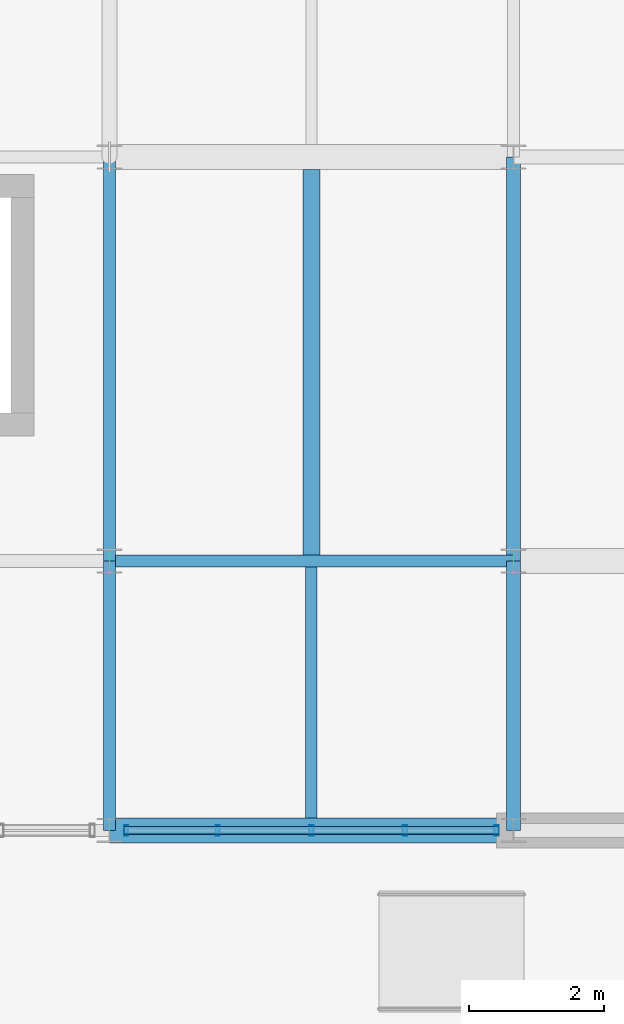
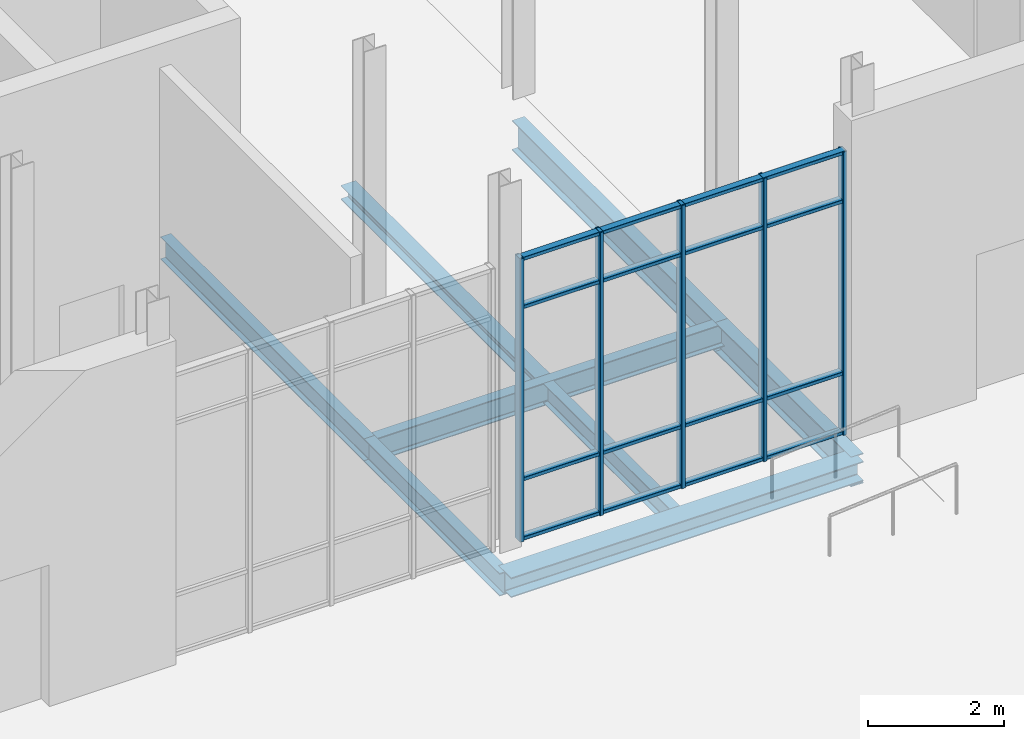
# One storey, part 74 of 140: 9 members, 8 beams, 1 element without a shape of its own.
"""IFC4 building model written with IfcOpenShell, lengths in metres."""

import ifcopenshell
import ifcopenshell.guid

model = None  # the IFC model being written
_history = None  # IfcOwnerHistory: only IFC2X3 demands one
_inside = {}  # id of a spatial element -> (the spatial element, [elements in it])
_under = {}  # id of a project, library or spatial element -> (it, [spatial elements below it])
_declared = {}  # id of a project -> (the project, [libraries it declares])
_typed = {}  # id of a type object -> (the type object, [elements of that type])
_made_of = {}  # id of a material, layer set ... -> (it, [elements and type objects made of it])


def new_model(schema):
    """Start an empty IFC model of exactly this schema.

    Asked for "IFC4X3", IfcOpenShell would pick the latest addendum, in which some entities
    have other attributes; the version numbers below select the first issue.
    IFC2X3 requires an IfcOwnerHistory on every rooted entity: one is made here for all.
    """
    global model, _history
    if schema == "IFC4X3":
        model = ifcopenshell.file(schema_version=(4, 3, 0, 0))
    else:
        model = ifcopenshell.file(schema=schema)
    _inside.clear()
    _under.clear()
    _declared.clear()
    _typed.clear()
    _made_of.clear()
    _history = None
    if model.schema == "IFC2X3":
        org = make("IfcOrganization", Name="unknown")
        user = make(
            "IfcPersonAndOrganization",
            ThePerson=make("IfcPerson", FamilyName="unknown"),
            TheOrganization=org,
        )
        app = make(
            "IfcApplication",
            ApplicationDeveloper=org,
            Version="unknown",
            ApplicationFullName="unknown",
            ApplicationIdentifier="unknown",
        )
        _history = make(
            "IfcOwnerHistory",
            OwningUser=user,
            OwningApplication=app,
            ChangeAction="ADDED",
            CreationDate=0,
        )
    return model


def make(cls, **values):
    """One entity of the class cls with the attributes given. An attribute that is None is left unset."""
    return model.create_entity(
        cls, **{name: value for name, value in values.items() if value is not None}
    )


def rooted(cls, **values):
    """An entity with a GlobalId (a new one), such as an element, a storey or a relation."""
    return make(cls, GlobalId=ifcopenshell.guid.new(), OwnerHistory=_history, **values)


def si_unit(unit_type, name, prefix=None):
    """IfcSIUnit, for example si_unit("LENGTHUNIT", "METRE", prefix="MILLI")."""
    return make("IfcSIUnit", UnitType=unit_type, Prefix=prefix, Name=name)


def assignment(units):
    """IfcUnitAssignment: the units of a project."""
    return None if units is None else make("IfcUnitAssignment", Units=units)


def point(xyz):
    """IfcCartesianPoint."""
    return None if xyz is None else make("IfcCartesianPoint", Coordinates=xyz)


def direction(xyz):
    """IfcDirection."""
    return None if xyz is None else make("IfcDirection", DirectionRatios=xyz)


def frame(location, z_axis=None, x_axis=None):
    """IfcAxis2Placement3D, a coordinate frame: its origin and axes. An axis left out is left unset."""
    return make(
        "IfcAxis2Placement3D",
        Location=point(location),
        Axis=direction(z_axis),
        RefDirection=direction(x_axis),
    )


def frame_2d(location, x_axis=None):
    """IfcAxis2Placement2D, a coordinate frame in the plane: its origin and x axis."""
    return make(
        "IfcAxis2Placement2D", Location=point(location), RefDirection=direction(x_axis)
    )


def origin():
    """The frame at (0, 0, 0) with its axes left unset."""
    return frame((0.0, 0.0, 0.0))


def origin_2d():
    """The frame at (0, 0) in the plane with its x axis left unset."""
    return frame_2d((0.0, 0.0))


def place(relative_to, where):
    """IfcLocalPlacement: puts the frame where relative to a parent placement (None: the world)."""
    return make(
        "IfcLocalPlacement", PlacementRelTo=relative_to, RelativePlacement=where
    )


def context(
    kind, dimensions, precision=None, world=None, true_north=None, identifier=None
):
    """IfcGeometricRepresentationContext, for example the 3D "Model" context."""
    return make(
        "IfcGeometricRepresentationContext",
        ContextIdentifier=identifier,
        ContextType=kind,
        CoordinateSpaceDimension=dimensions,
        Precision=precision,
        WorldCoordinateSystem=world,
        TrueNorth=true_north,
    )


def subcontext(parent, identifier, kind, view, scale=None):
    """IfcGeometricRepresentationSubContext, for example "Body" below "Model"."""
    return make(
        "IfcGeometricRepresentationSubContext",
        ContextIdentifier=identifier,
        ContextType=kind,
        ParentContext=parent,
        TargetScale=scale,
        TargetView=view,
    )


def project(units=None, contexts=None):
    """IfcProject with its units and contexts."""
    return rooted(
        "IfcProject",
        Name="project",
        RepresentationContexts=contexts,
        UnitsInContext=assignment(units),
    )


def spatial(cls, under=None, at=None, **own):
    """A site, building, storey or space (cls), placed at a placement, below another one or the project."""
    s = rooted(cls, ObjectPlacement=at, **own)
    if under is not None:
        _under.setdefault(under.id(), (under, []))[1].append(s)
    return s


def profile(cls, at=None, kind="AREA", **sizes):
    """A parametric profile (cls). Its sizes go by their IFC names, for example OverallWidth=200.0."""
    return make(cls, ProfileType=kind, Position=at, **sizes)


def hollow_rectangle(**sizes):
    """IfcRectangleHollowProfileDef."""
    return profile("IfcRectangleHollowProfileDef", **sizes)


def i_section(**sizes):
    """IfcIShapeProfileDef."""
    return profile("IfcIShapeProfileDef", **sizes)


def extrude(swept, where, along, depth):
    """IfcExtrudedAreaSolid: the profile swept, set in the frame where, extruded along a direction by depth."""
    return make(
        "IfcExtrudedAreaSolid",
        SweptArea=swept,
        Position=where,
        ExtrudedDirection=direction(along),
        Depth=depth,
    )


def shape(context_of_items, identifier, shape_type, items):
    """IfcShapeRepresentation: the items that make up one representation, for example the "Body"."""
    return make(
        "IfcShapeRepresentation",
        ContextOfItems=context_of_items,
        RepresentationIdentifier=identifier,
        RepresentationType=shape_type,
        Items=items,
    )


def material(Name=None, Category=None):
    """IfcMaterial."""
    return make("IfcMaterial", Name=Name, Category=Category)


def material_profile(
    of_material, cross_section, Name=None, Category=None, Priority=None
):
    """IfcMaterialProfile: a cross section and its material."""
    return make(
        "IfcMaterialProfile",
        Name=Name,
        Material=of_material,
        Profile=cross_section,
        Priority=Priority,
        Category=Category,
    )


def profile_set(profiles, Name=None, composite=None):
    """IfcMaterialProfileSet."""
    return make(
        "IfcMaterialProfileSet",
        Name=Name,
        MaterialProfiles=profiles,
        CompositeProfile=composite,
    )


def made_of(thing, what):
    """Note that an element or type object is made of a material, layer set ...; save() writes the relation."""
    if what is not None:
        _made_of.setdefault(what.id(), (what, []))[1].append(thing)
    return thing


def type_object(cls, material=None, **own):
    """A type object (cls), such as IfcWallType, which elements share."""
    return made_of(rooted(cls, **own), material)


def element(
    cls,
    number,
    at=None,
    inside=None,
    cuts=None,
    type_object=None,
    material=None,
    context=None,
    identifier="Body",
    shape_type=None,
    held_by="IfcProductDefinitionShape",
    body=None,
    shapes=None,
    **own,
):
    """One element of the class cls, such as IfcWall. Its Tag is "e" and its number.

    at: its placement. inside: the storey or other place that contains it. cuts: it is an
    opening in that element (IfcRelVoidsElement). A single representation is given by context,
    identifier, shape_type and body (its items); several are given by shapes. held_by: the class
    of the entity that holds the representations. save() writes the other relations.
    """
    e = rooted(cls, Tag="e%d" % number, ObjectPlacement=at, **own)
    if body is not None:
        shapes = [shape(context, identifier, shape_type, body)]
    if shapes is not None:
        e.Representation = make(held_by, Representations=shapes)
    if inside is not None:
        _inside.setdefault(inside.id(), (inside, []))[1].append(e)
    if cuts is not None:
        rooted(
            "IfcRelVoidsElement", RelatingBuildingElement=cuts, RelatedOpeningElement=e
        )
    if type_object is not None:
        _typed.setdefault(type_object.id(), (type_object, []))[1].append(e)
    return made_of(e, material)


def aggregate(whole, parts):
    """IfcRelAggregates: a whole, such as a stair, and the parts it consists of."""
    return rooted("IfcRelAggregates", RelatingObject=whole, RelatedObjects=parts)


def save(model, path):
    """Write the relations noted so far, then the file.

    IfcRelAggregates (storeys below a building ...), IfcRelContainedInSpatialStructure (elements
    in a storey), IfcRelDefinesByType, IfcRelAssociatesMaterial and IfcRelDeclares: one each for
    every whole, place, type object, material and project.
    """
    for whole, parts in _under.values():
        aggregate(whole, parts)
    for where, things in _inside.values():
        rooted(
            "IfcRelContainedInSpatialStructure",
            RelatedElements=things,
            RelatingStructure=where,
        )
    for kind, things in _typed.values():
        rooted("IfcRelDefinesByType", RelatedObjects=things, RelatingType=kind)
    for what, things in _made_of.values():
        rooted("IfcRelAssociatesMaterial", RelatedObjects=things, RelatingMaterial=what)
    for by, libraries in _declared.values():
        rooted("IfcRelDeclares", RelatingContext=by, RelatedDefinitions=libraries)
    model.write(path)


model = new_model("IFC4")

# Units and contexts
model_context = context("Model", 3, precision=1e-05, world=origin(), true_north=direction((0.0, 1.0)))
body_context = subcontext(model_context, "Body", "Model", "MODEL_VIEW")
ifc_project = project(units=[si_unit("LENGTHUNIT", "METRE"), si_unit("AREAUNIT", "SQUARE_METRE"), si_unit("VOLUMEUNIT", "CUBIC_METRE"), si_unit("PLANEANGLEUNIT", "RADIAN"), si_unit("MASSUNIT", "GRAM", prefix="KILO")], contexts=[model_context])

# Site, building, storey
site_placement = place(None, origin())
site = spatial("IfcSite", under=ifc_project, at=site_placement, CompositionType="ELEMENT")
building_placement = place(site_placement, origin())
building = spatial("IfcBuilding", under=site, at=building_placement, Name="Verrall Gate Interchange", CompositionType="ELEMENT")
storey_placement = place(building_placement, origin())
storey = spatial("IfcBuildingStorey", under=building, at=storey_placement, Name="L01", CompositionType="ELEMENT", Elevation=0.0)

# Beams
ifc_material_1 = material(Name="Structural Steel CSA G40.21 350W", Category="steel")
ifc_material_profile_1 = material_profile(ifc_material_1, i_section(OverallWidth=0.2109375, OverallDepth=0.5390625, WebThickness=0.01171875, FlangeThickness=0.018798828125, FilletRadius=0.013916015625, at=origin_2d()), Name="W530x109")
ifc_profile_set_1 = profile_set([ifc_material_profile_1], Name="Structural Steel CSA G40.21 350W")
beam_type_1 = type_object("IfcBeamType", Name="B-10 Structural Beam W530x109", PredefinedType="BEAM", material=ifc_profile_set_1)
beam_1_placement = place(storey_placement, frame((150.0, 12.0, -0.76953125), z_axis=(0.0, 1.0, 0.0), x_axis=(-1.0, 0.0, 0.0)))
element("IfcBeam", 1, at=beam_1_placement, inside=storey, type_object=beam_type_1, Name="L01 Girder BM-L01-1219 (B-10)", PredefinedType="BEAM", context=body_context, shape_type="SweptSolid", body=[
    extrude(i_section(OverallWidth=0.2109375, OverallDepth=0.5390625, WebThickness=0.01171875, FlangeThickness=0.018798828125, FilletRadius=0.013916015625, at=origin_2d()), origin(), (0.0, 0.0, 1.0), 4.0),
])
beam_2_placement = place(storey_placement, frame((150.0, 16.0, -0.76953125), z_axis=(0.0, 1.0, 0.0), x_axis=(-1.0, 0.0, 0.0)))
element("IfcBeam", 2, at=beam_2_placement, inside=storey, type_object=beam_type_1, Name="L01 Girder BM-L01-1220 (B-10)", PredefinedType="BEAM", context=body_context, shape_type="SweptSolid", body=[
    extrude(i_section(OverallWidth=0.2109375, OverallDepth=0.5390625, WebThickness=0.01171875, FlangeThickness=0.018798828125, FilletRadius=0.013916015625, at=origin_2d()), origin(), (0.0, 0.0, 1.0), 6.0),
])
ifc_material_2 = material(Name="Structural Steel CSA G40.21 350W", Category="steel")
ifc_material_profile_2 = material_profile(ifc_material_2, i_section(OverallWidth=0.178955078125, OverallDepth=0.409912109375, WebThickness=0.0087890625, FlangeThickness=0.014404296875, FilletRadius=0.011962890625, at=origin_2d()), Name="W410x67")
ifc_profile_set_2 = profile_set([ifc_material_profile_2], Name="Structural Steel CSA G40.21 350W")
beam_type_2 = type_object("IfcBeamType", Name="B-12 Structural Beam W410x67", PredefinedType="BEAM", material=ifc_profile_set_2)
beam_3_placement = place(storey_placement, frame((144.0, 16.0, -0.705078125), z_axis=(1.0, 0.0, 0.0), x_axis=(0.0, 1.0, 0.0)))
element("IfcBeam", 3, at=beam_3_placement, inside=storey, type_object=beam_type_2, Name="L01 Girder BM-L01-0804 (B-12)", PredefinedType="BEAM", context=body_context, shape_type="SweptSolid", body=[
    extrude(i_section(OverallWidth=0.178955078125, OverallDepth=0.409912109375, WebThickness=0.0087890625, FlangeThickness=0.014404296875, FilletRadius=0.011962890625, at=origin_2d()), origin(), (0.0, 0.0, 1.0), 6.0),
])
beam_4_placement = place(storey_placement, frame((144.0, 12.0, -0.705078125), z_axis=(0.0, 1.0, 0.0), x_axis=(-1.0, 0.0, 0.0)))
element("IfcBeam", 4, at=beam_4_placement, inside=storey, type_object=beam_type_2, Name="L01 Girder BM-L01-1211 (B-12)", PredefinedType="BEAM", context=body_context, shape_type="SweptSolid", body=[
    extrude(i_section(OverallWidth=0.178955078125, OverallDepth=0.409912109375, WebThickness=0.0087890625, FlangeThickness=0.014404296875, FilletRadius=0.011962890625, at=origin_2d()), origin(), (0.0, 0.0, 1.0), 4.0),
])
beam_5_placement = place(storey_placement, frame((144.0, 16.0, -0.705078125), z_axis=(0.0, 1.0, 0.0), x_axis=(-1.0, 0.0, 0.0)))
element("IfcBeam", 5, at=beam_5_placement, inside=storey, type_object=beam_type_2, Name="L01 Girder BM-L01-1212 (B-12)", PredefinedType="BEAM", context=body_context, shape_type="SweptSolid", body=[
    extrude(i_section(OverallWidth=0.178955078125, OverallDepth=0.409912109375, WebThickness=0.0087890625, FlangeThickness=0.014404296875, FilletRadius=0.011962890625, at=origin_2d()), origin(), (0.0, 0.0, 1.0), 6.0),
])
ifc_material_3 = material(Name="Structural Steel CSA G40.21 350W", Category="steel")
ifc_material_profile_3 = material_profile(ifc_material_3, i_section(OverallWidth=0.368896484375, OverallDepth=0.35595703125, WebThickness=0.01123046875, FlangeThickness=0.01806640625, FilletRadius=0.014892578125, at=origin_2d()), Name="W360x134")
ifc_profile_set_3 = profile_set([ifc_material_profile_3], Name="Structural Steel CSA G40.21 350W")
beam_type_3 = type_object("IfcBeamType", Name="B-13 Structural Beam W360x134", PredefinedType="BEAM", material=ifc_profile_set_3)
beam_6_placement = place(storey_placement, frame((144.0, 12.0, -0.677978515625), z_axis=(1.0, 0.0, 0.0), x_axis=(0.0, 1.0, 0.0)))
element("IfcBeam", 6, at=beam_6_placement, inside=storey, type_object=beam_type_3, Name="L01 Girder BM-L01-0784 (B-13)", PredefinedType="BEAM", context=body_context, shape_type="SweptSolid", body=[
    extrude(i_section(OverallWidth=0.368896484375, OverallDepth=0.35595703125, WebThickness=0.01123046875, FlangeThickness=0.01806640625, FilletRadius=0.014892578125, at=origin_2d()), origin(), (0.0, 0.0, 1.0), 6.0),
])

# Curtain wall, members
ifc_material_4 = material(Name="Thermally Broken Anodized Aluminium Curtain Wall Framing", Category="aluminium")
curtain_wall_type = type_object("IfcCurtainWallType", Name="CW-04 Unitized Curtain Wall 5631x5100", PredefinedType="NOTDEFINED", material=ifc_material_4)
curtain_wall_placement = place(storey_placement, origin())
curtain_wall = element("IfcCurtainWall", 7, at=curtain_wall_placement, inside=storey, type_object=curtain_wall_type, Name="L01 Unitized Curtain Wall CW-L01-038", PredefinedType="NOTDEFINED")
ifc_material_5 = material(Name="Thermally Broken Anodized Aluminium Curtain Wall Framing", Category="aluminium")
ifc_material_profile_4 = material_profile(ifc_material_5, hollow_rectangle(XDim=0.06494140625, YDim=0.159912109375, WallThickness=0.00390625, InnerFilletRadius=0.00390625, OuterFilletRadius=0.008056640625, at=origin_2d()), Name="CWM160x65x4")
ifc_profile_set_4 = profile_set([ifc_material_profile_4], Name="Thermally Broken Anodized Aluminium Curtain Wall Framing")
member_type_1 = type_object("IfcMemberType", Name="CM-01 Curtain Mullion CWM160x65x4", PredefinedType="MULLION", material=ifc_profile_set_4)
member_1_placement = place(storey_placement, frame((144.2490234375, 12.0, 0.0), z_axis=(0.0, 0.0, 1.0), x_axis=(1.0, 0.0, 0.0)))
member_1 = element("IfcMember", 8, at=member_1_placement, type_object=member_type_1, Name="CW-L01-038 Mullion 1", PredefinedType="MULLION", context=body_context, shape_type="SweptSolid", body=[
    extrude(hollow_rectangle(XDim=0.06494140625, YDim=0.159912109375, WallThickness=0.00390625, InnerFilletRadius=0.00390625, OuterFilletRadius=0.008056640625, at=origin_2d()), origin(), (0.0, 0.0, 1.0), 5.10009765625),
])
member_2_placement = place(storey_placement, frame((145.6083984375, 12.0, 0.0), z_axis=(0.0, 0.0, 1.0), x_axis=(1.0, 0.0, 0.0)))
member_2 = element("IfcMember", 9, at=member_2_placement, type_object=member_type_1, Name="CW-L01-038 Mullion 2", PredefinedType="MULLION", context=body_context, shape_type="SweptSolid", body=[
    extrude(hollow_rectangle(XDim=0.06494140625, YDim=0.159912109375, WallThickness=0.00390625, InnerFilletRadius=0.00390625, OuterFilletRadius=0.008056640625, at=origin_2d()), origin(), (0.0, 0.0, 1.0), 5.10009765625),
])
member_3_placement = place(storey_placement, frame((147.0, 12.0, 0.0), z_axis=(0.0, 0.0, 1.0), x_axis=(1.0, 0.0, 0.0)))
member_3 = element("IfcMember", 10, at=member_3_placement, type_object=member_type_1, Name="CW-L01-038 Mullion 3", PredefinedType="MULLION", context=body_context, shape_type="SweptSolid", body=[
    extrude(hollow_rectangle(XDim=0.06494140625, YDim=0.159912109375, WallThickness=0.00390625, InnerFilletRadius=0.00390625, OuterFilletRadius=0.008056640625, at=origin_2d()), origin(), (0.0, 0.0, 1.0), 5.10009765625),
])
member_4_placement = place(storey_placement, frame((148.391845703125, 12.0, 0.0), z_axis=(0.0, 0.0, 1.0), x_axis=(1.0, 0.0, 0.0)))
member_4 = element("IfcMember", 11, at=member_4_placement, type_object=member_type_1, Name="CW-L01-038 Mullion 4", PredefinedType="MULLION", context=body_context, shape_type="SweptSolid", body=[
    extrude(hollow_rectangle(XDim=0.06494140625, YDim=0.159912109375, WallThickness=0.00390625, InnerFilletRadius=0.00390625, OuterFilletRadius=0.008056640625, at=origin_2d()), origin(), (0.0, 0.0, 1.0), 5.10009765625),
])
member_5_placement = place(storey_placement, frame((149.7509765625, 12.0, 0.0), z_axis=(0.0, 0.0, 1.0), x_axis=(1.0, 0.0, 0.0)))
member_5 = element("IfcMember", 12, at=member_5_placement, type_object=member_type_1, Name="CW-L01-038 Mullion 5", PredefinedType="MULLION", context=body_context, shape_type="SweptSolid", body=[
    extrude(hollow_rectangle(XDim=0.06494140625, YDim=0.159912109375, WallThickness=0.00390625, InnerFilletRadius=0.00390625, OuterFilletRadius=0.008056640625, at=origin_2d()), origin(), (0.0, 0.0, 1.0), 5.10009765625),
])
ifc_material_6 = material(Name="Thermally Broken Anodized Aluminium Curtain Wall Framing", Category="aluminium")
ifc_material_profile_5 = material_profile(ifc_material_6, hollow_rectangle(XDim=0.1201171875, YDim=0.06494140625, WallThickness=0.00390625, InnerFilletRadius=0.00390625, OuterFilletRadius=0.008056640625, at=origin_2d()), Name="CWT120x65x4")
ifc_profile_set_5 = profile_set([ifc_material_profile_5], Name="Thermally Broken Anodized Aluminium Curtain Wall Framing")
member_type_2 = type_object("IfcMemberType", Name="CT-01 Curtain Transom CWT120x65x4", PredefinedType="USERDEFINED", material=ifc_profile_set_5)
member_6_placement = place(storey_placement, frame((144.216552734375, 12.0, 0.032470703125), z_axis=(1.0, 0.0, 0.0), x_axis=(0.0, 1.0, 0.0)))
member_6 = element("IfcMember", 13, at=member_6_placement, type_object=member_type_2, Name="CW-L01-038 Transom 1", ObjectType="TRANSOM", PredefinedType="USERDEFINED", context=body_context, shape_type="SweptSolid", body=[
    extrude(hollow_rectangle(XDim=0.1201171875, YDim=0.06494140625, WallThickness=0.00390625, InnerFilletRadius=0.00390625, OuterFilletRadius=0.008056640625, at=origin_2d()), origin(), (0.0, 0.0, 1.0), 5.56689453125),
])
member_7_placement = place(storey_placement, frame((144.216552734375, 12.0, 1.10009765625), z_axis=(1.0, 0.0, 0.0), x_axis=(0.0, 1.0, 0.0)))
member_7 = element("IfcMember", 14, at=member_7_placement, type_object=member_type_2, Name="CW-L01-038 Transom 2", ObjectType="TRANSOM", PredefinedType="USERDEFINED", context=body_context, shape_type="SweptSolid", body=[
    extrude(hollow_rectangle(XDim=0.1201171875, YDim=0.06494140625, WallThickness=0.00390625, InnerFilletRadius=0.00390625, OuterFilletRadius=0.008056640625, at=origin_2d()), origin(), (0.0, 0.0, 1.0), 5.56689453125),
])
member_8_placement = place(storey_placement, frame((144.216552734375, 12.0, 4.199951171875), z_axis=(1.0, 0.0, 0.0), x_axis=(0.0, 1.0, 0.0)))
member_8 = element("IfcMember", 15, at=member_8_placement, type_object=member_type_2, Name="CW-L01-038 Transom 3", ObjectType="TRANSOM", PredefinedType="USERDEFINED", context=body_context, shape_type="SweptSolid", body=[
    extrude(hollow_rectangle(XDim=0.1201171875, YDim=0.06494140625, WallThickness=0.00390625, InnerFilletRadius=0.00390625, OuterFilletRadius=0.008056640625, at=origin_2d()), origin(), (0.0, 0.0, 1.0), 5.56689453125),
])
member_9_placement = place(storey_placement, frame((144.216552734375, 12.0, 5.0673828125), z_axis=(1.0, 0.0, 0.0), x_axis=(0.0, 1.0, 0.0)))
member_9 = element("IfcMember", 16, at=member_9_placement, type_object=member_type_2, Name="CW-L01-038 Transom 4", ObjectType="TRANSOM", PredefinedType="USERDEFINED", context=body_context, shape_type="SweptSolid", body=[
    extrude(hollow_rectangle(XDim=0.1201171875, YDim=0.06494140625, WallThickness=0.00390625, InnerFilletRadius=0.00390625, OuterFilletRadius=0.008056640625, at=origin_2d()), origin(), (0.0, 0.0, 1.0), 5.56689453125),
])
aggregate(curtain_wall, [member_1, member_2, member_3, member_4, member_5, member_6, member_7, member_8, member_9])

# Beams
ifc_material_7 = material(Name="Structural Steel CSA G40.21 350W", Category="steel")
ifc_material_profile_6 = material_profile(ifc_material_7, i_section(OverallWidth=0.172119140625, OverallDepth=0.35791015625, WebThickness=0.0078125, FlangeThickness=0.01318359375, FilletRadius=0.010986328125, at=origin_2d()), Name="W360x57")
ifc_profile_set_6 = profile_set([ifc_material_profile_6], Name="Structural Steel CSA G40.21 350W")
beam_type_4 = type_object("IfcBeamType", Name="J-01 Floor Joist W360x57", PredefinedType="JOIST", material=ifc_profile_set_6)
beam_7_placement = place(storey_placement, frame((147.0, 12.1845703125, -0.678955078125), z_axis=(0.0, 1.0, 0.0), x_axis=(-1.0, 0.0, 0.0)))
element("IfcBeam", 17, at=beam_7_placement, inside=storey, type_object=beam_type_4, Name="L01 Secondary Floor Joist JST-L01-1295", PredefinedType="JOIST", context=body_context, shape_type="SweptSolid", body=[
    extrude(i_section(OverallWidth=0.172119140625, OverallDepth=0.35791015625, WebThickness=0.0078125, FlangeThickness=0.01318359375, FilletRadius=0.010986328125, at=origin_2d()), origin(), (0.0, 0.0, 1.0), 3.725830078125),
])
ifc_material_8 = material(Name="Structural Steel CSA G40.21 350W", Category="steel")
ifc_material_profile_7 = material_profile(ifc_material_8, i_section(OverallWidth=0.25390625, OverallDepth=0.2529296875, WebThickness=0.008544921875, FlangeThickness=0.01416015625, FilletRadius=0.011962890625, at=origin_2d()), Name="W250x73")
ifc_profile_set_7 = profile_set([ifc_material_profile_7], Name="Structural Steel CSA G40.21 350W")
beam_type_5 = type_object("IfcBeamType", Name="J-05 Floor Joist W250x73", PredefinedType="JOIST", material=ifc_profile_set_7)
beam_8_placement = place(storey_placement, frame((147.0, 16.089599609375, -0.62646484375), z_axis=(0.0, 1.0, 0.0), x_axis=(-1.0, 0.0, 0.0)))
element("IfcBeam", 18, at=beam_8_placement, inside=storey, type_object=beam_type_5, Name="L01 Secondary Floor Joist JST-L01-1307", PredefinedType="JOIST", context=body_context, shape_type="SweptSolid", body=[
    extrude(i_section(OverallWidth=0.25390625, OverallDepth=0.2529296875, WebThickness=0.008544921875, FlangeThickness=0.01416015625, FilletRadius=0.011962890625, at=origin_2d()), origin(), (0.0, 0.0, 1.0), 5.725830078125),
])

save(model, "model.ifc")
